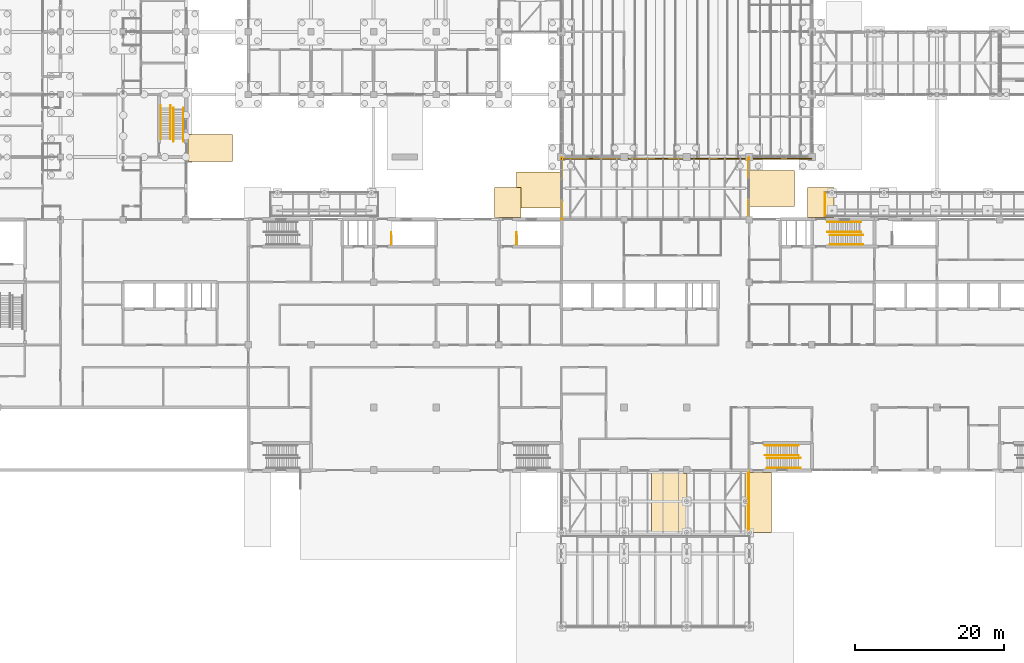
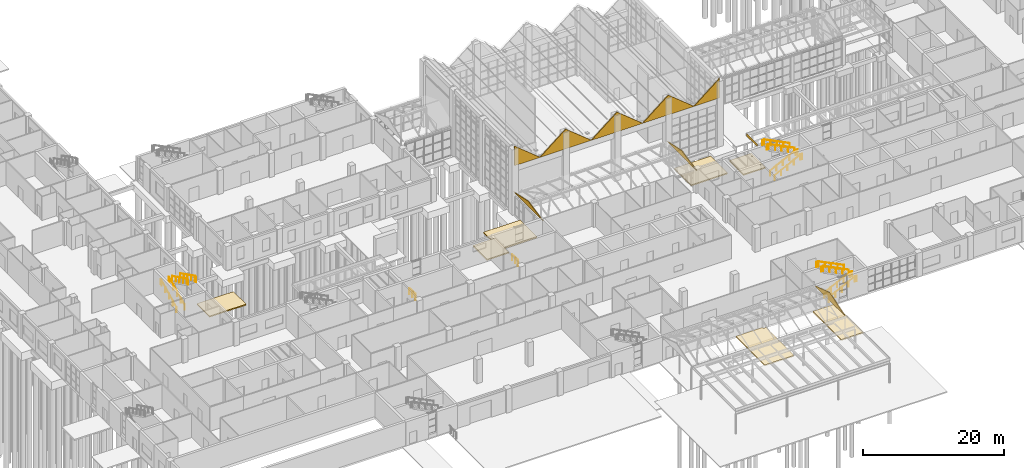
# One storey, part 133 of 138: 16 coverings, 14 railings.
"""IFC4 building model written with IfcOpenShell, lengths in metres."""

from ifc_helpers import new_model, si_unit, direction, frame, origin, origin_2d, place, context, subcontext, project, spatial, polyline, circle, outline, extrude, material, layer, layer_set, type_object, element, save


model = new_model("IFC4")

# Units and contexts
model_context = context("Model", 3, precision=1e-05, world=origin(), true_north=direction((0.0, 1.0)))
body_context = subcontext(model_context, "Body", "Model", "MODEL_VIEW")
ifc_project = project(units=[si_unit("LENGTHUNIT", "METRE"), si_unit("AREAUNIT", "SQUARE_METRE"), si_unit("VOLUMEUNIT", "CUBIC_METRE"), si_unit("PLANEANGLEUNIT", "RADIAN"), si_unit("MASSUNIT", "GRAM", prefix="KILO")], contexts=[model_context])

# Site, building, storey
site_placement = place(None, origin())
site = spatial("IfcSite", under=ifc_project, at=site_placement, CompositionType="ELEMENT")
building_placement = place(site_placement, origin())
building = spatial("IfcBuilding", under=site, at=building_placement, Name="Yavir Park General Hospital", CompositionType="ELEMENT")
storey_placement = place(building_placement, origin())
storey = spatial("IfcBuildingStorey", under=building, at=storey_placement, Name="L00", CompositionType="ELEMENT", Elevation=0.0)

# Coverings
ifc_material_1 = material(Name="Aluminium composite cladding", Category="aluminium")
ifc_layer_1 = layer(ifc_material_1, 0.0400390625)
ifc_layer_set_1 = layer_set([ifc_layer_1], Name="Aluminium composite cladding")
covering_type_1 = type_object("IfcCoveringType", Name="Canopy fascia 40", PredefinedType="CLADDING", material=ifc_layer_set_1)
covering_1_placement = place(storey_placement, frame((0.0, 0.0, 3.85009765625)))
element("IfcCovering", 1, at=covering_1_placement, inside=storey, type_object=covering_type_1, Name="Canopy fascia ARC2 W", PredefinedType="CLADDING", context=body_context, shape_type="SweptSolid", body=[
    extrude(outline(polyline([(110.9599609375, 34.10009765625), (111.0, 34.10009765625), (111.0, 37.199951171875), (110.9599609375, 37.199951171875), (110.9599609375, 34.10009765625)])), origin(), (0.0, 0.0, 1.0), 0.449951171875),
])
ifc_material_2 = material(Name="Precast paving flags on a compacted sub-base", Category="concrete")
ifc_layer_2 = layer(ifc_material_2, 0.199951171875)
ifc_layer_set_2 = layer_set([ifc_layer_2], Name="Precast paving flags on a compacted sub-base")
covering_type_2 = type_object("IfcCoveringType", Name="External paving 200", PredefinedType="FLOORING", material=ifc_layer_set_2)
covering_2_placement = place(storey_placement, frame((0.0, 0.0, -0.199951171875)))
element("IfcCovering", 2, at=covering_2_placement, inside=storey, type_object=covering_type_2, Name="Entrance paving east 1", PredefinedType="FLOORING", context=body_context, shape_type="SweptSolid", body=[
    extrude(outline(polyline([(25.5, 45.0), (31.5, 45.0), (31.5, 41.39990234375), (25.5, 41.39990234375), (25.5, 42.0), (25.5, 45.0)])), origin(), (0.0, 0.0, 1.0), 0.199951171875),
])
covering_3_placement = place(storey_placement, frame((0.0, 0.0, -0.199951171875)))
element("IfcCovering", 3, at=covering_3_placement, inside=storey, type_object=covering_type_2, Name="Entrance paving east 1", PredefinedType="FLOORING", context=body_context, shape_type="SweptSolid", body=[
    extrude(outline(polyline([(100.85009765625, 39.262451171875), (100.889892578125, 39.262451171875), (100.889892578125, 39.322509765625), (100.8701171875, 39.322509765625), (100.8701171875, 40.16259765625), (106.85009765625, 40.16259765625), (106.85009765625, 35.362548828125), (100.8701171875, 35.362548828125), (100.8701171875, 36.202392578125), (100.889892578125, 36.202392578125), (100.889892578125, 36.262451171875), (100.85009765625, 36.262451171875), (100.85009765625, 39.262451171875)])), origin(), (0.0, 0.0, 1.0), 0.199951171875),
])
covering_4_placement = place(storey_placement, frame((0.0, 0.0, -0.199951171875)))
element("IfcCovering", 4, at=covering_4_placement, inside=storey, type_object=covering_type_2, Name="Entrance paving north 3", PredefinedType="FLOORING", context=body_context, shape_type="SweptSolid", body=[
    extrude(outline(polyline([(67.199951171875, 33.89990234375), (66.60009765625, 33.89990234375), (66.60009765625, 37.89990234375), (70.199951171875, 37.89990234375), (70.199951171875, 33.89990234375), (67.199951171875, 33.89990234375)])), origin(), (0.0, 0.0, 1.0), 0.199951171875),
])
covering_5_placement = place(storey_placement, frame((0.0, 0.0, -0.199951171875)))
element("IfcCovering", 5, at=covering_5_placement, inside=storey, type_object=covering_type_2, Name="Entrance paving north 4", PredefinedType="FLOORING", context=body_context, shape_type="SweptSolid", body=[
    extrude(outline(polyline([(108.60009765625, 37.89990234375), (112.199951171875, 37.89990234375), (112.199951171875, 33.89990234375), (109.199951171875, 33.89990234375), (108.60009765625, 33.89990234375), (108.60009765625, 37.89990234375)]), holes=[polyline([(111.969970703125, 34.8466796875), (111.965087890625, 34.853515625), (111.95947265625, 34.859619140625), (111.953369140625, 34.864990234375), (111.94677734375, 34.8701171875), (111.939697265625, 34.874267578125), (111.93212890625, 34.877685546875), (111.92431640625, 34.880615234375), (111.91650390625, 34.882568359375), (111.908203125, 34.8837890625), (111.89990234375, 34.884033203125), (111.891845703125, 34.8837890625), (111.883544921875, 34.882568359375), (111.87548828125, 34.880615234375), (111.867919921875, 34.877685546875), (111.8603515625, 34.874267578125), (111.853271484375, 34.8701171875), (111.8466796875, 34.864990234375), (111.840576171875, 34.859619140625), (111.8349609375, 34.853515625), (111.830078125, 34.8466796875), (111.82568359375, 34.839599609375), (111.822265625, 34.832275390625), (111.819580078125, 34.824462890625), (111.8173828125, 34.81640625), (111.81640625, 34.80810546875), (111.81591796875, 34.800048828125), (111.81640625, 34.791748046875), (111.8173828125, 34.78369140625), (111.819580078125, 34.775634765625), (111.822265625, 34.767822265625), (111.82568359375, 34.76025390625), (111.830078125, 34.753173828125), (111.8349609375, 34.74658203125), (111.840576171875, 34.740478515625), (111.8466796875, 34.735107421875), (111.853271484375, 34.72998046875), (111.8603515625, 34.725830078125), (111.867919921875, 34.722412109375), (111.87548828125, 34.719482421875), (111.883544921875, 34.717529296875), (111.891845703125, 34.71630859375), (111.89990234375, 34.7158203125), (111.908203125, 34.71630859375), (111.91650390625, 34.717529296875), (111.92431640625, 34.719482421875), (111.93212890625, 34.722412109375), (111.939697265625, 34.725830078125), (111.94677734375, 34.72998046875), (111.953369140625, 34.735107421875), (111.95947265625, 34.740478515625), (111.965087890625, 34.74658203125), (111.969970703125, 34.753173828125), (111.97412109375, 34.76025390625), (111.977783203125, 34.767822265625), (111.98046875, 34.775634765625), (111.982421875, 34.78369140625), (111.983642578125, 34.791748046875), (111.984130859375, 34.800048828125), (111.983642578125, 34.80810546875), (111.982421875, 34.81640625), (111.98046875, 34.824462890625), (111.977783203125, 34.832275390625), (111.97412109375, 34.839599609375), (111.969970703125, 34.8466796875)]), polyline([(111.9580078125, 37.23876953125), (111.9541015625, 37.244384765625), (111.949462890625, 37.24951171875), (111.9443359375, 37.25390625), (111.938720703125, 37.258056640625), (111.932861328125, 37.26171875), (111.9267578125, 37.264404296875), (111.92041015625, 37.266845703125), (111.91357421875, 37.2685546875), (111.90673828125, 37.26953125), (111.89990234375, 37.27001953125), (111.893310546875, 37.26953125), (111.886474609375, 37.2685546875), (111.879638671875, 37.266845703125), (111.873291015625, 37.264404296875), (111.8671875, 37.26171875), (111.861083984375, 37.258056640625), (111.855712890625, 37.25390625), (111.8505859375, 37.24951171875), (111.845947265625, 37.244384765625), (111.841796875, 37.23876953125), (111.83837890625, 37.23291015625), (111.83544921875, 37.226806640625), (111.833251953125, 37.22021484375), (111.83154296875, 37.213623046875), (111.83056640625, 37.206787109375), (111.830078125, 37.199951171875), (111.83056640625, 37.193115234375), (111.83154296875, 37.186279296875), (111.833251953125, 37.1796875), (111.83544921875, 37.17333984375), (111.83837890625, 37.1669921875), (111.841796875, 37.1611328125), (111.845947265625, 37.15576171875), (111.8505859375, 37.150634765625), (111.855712890625, 37.14599609375), (111.861083984375, 37.141845703125), (111.8671875, 37.138427734375), (111.873291015625, 37.135498046875), (111.879638671875, 37.13330078125), (111.886474609375, 37.131591796875), (111.893310546875, 37.130615234375), (111.89990234375, 37.130126953125), (111.90673828125, 37.130615234375), (111.91357421875, 37.131591796875), (111.92041015625, 37.13330078125), (111.9267578125, 37.135498046875), (111.932861328125, 37.138427734375), (111.938720703125, 37.141845703125), (111.9443359375, 37.14599609375), (111.949462890625, 37.150634765625), (111.9541015625, 37.15576171875), (111.9580078125, 37.1611328125), (111.961669921875, 37.1669921875), (111.964599609375, 37.17333984375), (111.966796875, 37.1796875), (111.968505859375, 37.186279296875), (111.969482421875, 37.193115234375), (111.969970703125, 37.199951171875), (111.969482421875, 37.206787109375), (111.968505859375, 37.213623046875), (111.966796875, 37.22021484375), (111.964599609375, 37.226806640625), (111.961669921875, 37.23291015625), (111.9580078125, 37.23876953125)])]), origin(), (0.0, 0.0, 1.0), 0.199951171875),
])
covering_6_placement = place(storey_placement, frame((0.0, 0.0, -0.199951171875)))
element("IfcCovering", 6, at=covering_6_placement, inside=storey, type_object=covering_type_2, Name="Entrance paving south 3", PredefinedType="FLOORING", context=body_context, shape_type="SweptSolid", body=[
    extrude(outline(polyline([(100.791748046875, -8.31640625), (100.78369140625, -8.3173828125), (100.775634765625, -8.319580078125), (100.767822265625, -8.322265625), (100.76025390625, -8.32568359375), (100.753173828125, -8.330078125), (100.74658203125, -8.3349609375), (100.740478515625, -8.340576171875), (100.735107421875, -8.3466796875), (100.72998046875, -8.353271484375), (100.725830078125, -8.3603515625), (100.722412109375, -8.367919921875), (100.719482421875, -8.37548828125), (100.717529296875, -8.383544921875), (100.71630859375, -8.391845703125), (100.7158203125, -8.39990234375), (100.199951171875, -8.39990234375), (100.199951171875, -0.300048828125), (100.800048828125, -0.300048828125), (103.800048828125, -0.300048828125), (103.800048828125, -8.39990234375), (100.884033203125, -8.39990234375), (100.8837890625, -8.391845703125), (100.882568359375, -8.383544921875), (100.880615234375, -8.37548828125), (100.877685546875, -8.367919921875), (100.874267578125, -8.3603515625), (100.8701171875, -8.353271484375), (100.864990234375, -8.3466796875), (100.859619140625, -8.340576171875), (100.853515625, -8.3349609375), (100.8466796875, -8.330078125), (100.839599609375, -8.32568359375), (100.832275390625, -8.322265625), (100.824462890625, -8.319580078125), (100.81640625, -8.3173828125), (100.80810546875, -8.31640625), (100.800048828125, -8.31591796875), (100.791748046875, -8.31640625)]), holes=[polyline([(100.30810546875, -4.1162109375), (100.300048828125, -4.115966796875), (100.291748046875, -4.1162109375), (100.28369140625, -4.117431640625), (100.275634765625, -4.119384765625), (100.267822265625, -4.122314453125), (100.26025390625, -4.125732421875), (100.253173828125, -4.1298828125), (100.24658203125, -4.135009765625), (100.240478515625, -4.140380859375), (100.235107421875, -4.146484375), (100.22998046875, -4.1533203125), (100.225830078125, -4.160400390625), (100.222412109375, -4.167724609375), (100.219482421875, -4.175537109375), (100.217529296875, -4.18359375), (100.21630859375, -4.19189453125), (100.2158203125, -4.199951171875), (100.21630859375, -4.208251953125), (100.217529296875, -4.21630859375), (100.219482421875, -4.224365234375), (100.222412109375, -4.232177734375), (100.225830078125, -4.23974609375), (100.22998046875, -4.246826171875), (100.235107421875, -4.25341796875), (100.240478515625, -4.259521484375), (100.24658203125, -4.264892578125), (100.253173828125, -4.27001953125), (100.26025390625, -4.274169921875), (100.267822265625, -4.277587890625), (100.275634765625, -4.280517578125), (100.28369140625, -4.282470703125), (100.291748046875, -4.28369140625), (100.300048828125, -4.2841796875), (100.30810546875, -4.28369140625), (100.31640625, -4.282470703125), (100.324462890625, -4.280517578125), (100.332275390625, -4.277587890625), (100.339599609375, -4.274169921875), (100.3466796875, -4.27001953125), (100.353515625, -4.264892578125), (100.359619140625, -4.259521484375), (100.364990234375, -4.25341796875), (100.3701171875, -4.246826171875), (100.374267578125, -4.23974609375), (100.377685546875, -4.232177734375), (100.380615234375, -4.224365234375), (100.382568359375, -4.21630859375), (100.3837890625, -4.208251953125), (100.384033203125, -4.199951171875), (100.3837890625, -4.19189453125), (100.382568359375, -4.18359375), (100.380615234375, -4.175537109375), (100.377685546875, -4.167724609375), (100.374267578125, -4.160400390625), (100.3701171875, -4.1533203125), (100.364990234375, -4.146484375), (100.359619140625, -4.140380859375), (100.353515625, -4.135009765625), (100.3466796875, -4.1298828125), (100.339599609375, -4.125732421875), (100.332275390625, -4.122314453125), (100.324462890625, -4.119384765625), (100.31640625, -4.117431640625), (100.30810546875, -4.1162109375)])]), origin(), (0.0, 0.0, 1.0), 0.199951171875),
])
covering_7_placement = place(storey_placement, frame((0.0, 0.0, -0.199951171875)))
element("IfcCovering", 7, at=covering_7_placement, inside=storey, type_object=covering_type_2, Name="Entrance paving south 2", PredefinedType="FLOORING", context=body_context, shape_type="SweptSolid", body=[
    extrude(outline(polyline([(92.340576171875, -4.140380859375), (92.3349609375, -4.146484375), (92.330078125, -4.1533203125), (92.32568359375, -4.160400390625), (92.322265625, -4.167724609375), (92.319580078125, -4.175537109375), (92.3173828125, -4.18359375), (92.31640625, -4.19189453125), (92.31591796875, -4.199951171875), (92.31640625, -4.208251953125), (92.3173828125, -4.21630859375), (92.319580078125, -4.224365234375), (92.322265625, -4.232177734375), (92.32568359375, -4.23974609375), (92.330078125, -4.246826171875), (92.3349609375, -4.25341796875), (92.340576171875, -4.259521484375), (92.3466796875, -4.264892578125), (92.353271484375, -4.27001953125), (92.3603515625, -4.274169921875), (92.367919921875, -4.277587890625), (92.37548828125, -4.280517578125), (92.383544921875, -4.282470703125), (92.391845703125, -4.28369140625), (92.39990234375, -4.2841796875), (92.408203125, -4.28369140625), (92.41650390625, -4.282470703125), (92.42431640625, -4.280517578125), (92.43212890625, -4.277587890625), (92.439697265625, -4.274169921875), (92.44677734375, -4.27001953125), (92.453369140625, -4.264892578125), (92.45947265625, -4.259521484375), (92.465087890625, -4.25341796875), (92.469970703125, -4.246826171875), (92.47412109375, -4.23974609375), (92.47509765625, -4.238037109375), (92.47509765625, -8.362060546875), (92.47412109375, -8.3603515625), (92.469970703125, -8.353271484375), (92.465087890625, -8.3466796875), (92.45947265625, -8.340576171875), (92.453369140625, -8.3349609375), (92.44677734375, -8.330078125), (92.439697265625, -8.32568359375), (92.43212890625, -8.322265625), (92.42431640625, -8.319580078125), (92.41650390625, -8.3173828125), (92.408203125, -8.31640625), (92.39990234375, -8.31591796875), (92.391845703125, -8.31640625), (92.383544921875, -8.3173828125), (92.37548828125, -8.319580078125), (92.367919921875, -8.322265625), (92.3603515625, -8.32568359375), (92.353271484375, -8.330078125), (92.3466796875, -8.3349609375), (92.340576171875, -8.340576171875), (92.3349609375, -8.3466796875), (92.330078125, -8.353271484375), (92.32568359375, -8.3603515625), (92.322265625, -8.367919921875), (92.319580078125, -8.37548828125), (92.3173828125, -8.383544921875), (92.31640625, -8.391845703125), (92.31591796875, -8.39990234375), (87.675048828125, -8.39990234375), (87.675048828125, -0.199951171875), (91.949951171875, -0.199951171875), (91.949951171875, -0.449951171875), (92.47509765625, -0.449951171875), (92.47509765625, -4.162109375), (92.47412109375, -4.160400390625), (92.469970703125, -4.1533203125), (92.465087890625, -4.146484375), (92.45947265625, -4.140380859375), (92.453369140625, -4.135009765625), (92.44677734375, -4.1298828125), (92.439697265625, -4.125732421875), (92.43212890625, -4.122314453125), (92.42431640625, -4.119384765625), (92.41650390625, -4.117431640625), (92.408203125, -4.1162109375), (92.39990234375, -4.115966796875), (92.391845703125, -4.1162109375), (92.383544921875, -4.117431640625), (92.37548828125, -4.119384765625), (92.367919921875, -4.122314453125), (92.3603515625, -4.125732421875), (92.353271484375, -4.1298828125), (92.3466796875, -4.135009765625), (92.340576171875, -4.140380859375)])), origin(), (0.0, 0.0, 1.0), 0.199951171875),
])
covering_8_placement = place(storey_placement, frame((0.0, 0.0, -0.199951171875)))
element("IfcCovering", 8, at=covering_8_placement, inside=storey, type_object=covering_type_2, Name="Entrance paving west 1", PredefinedType="FLOORING", context=body_context, shape_type="SweptSolid", body=[
    extrude(outline(polyline([(70.199951171875, 37.89990234375), (69.550048828125, 37.89990234375), (69.550048828125, 39.987548828125), (75.530029296875, 39.987548828125), (75.530029296875, 39.1474609375), (75.510009765625, 39.1474609375), (75.510009765625, 39.08740234375), (75.550048828125, 39.08740234375), (75.550048828125, 36.08740234375), (75.510009765625, 36.08740234375), (75.510009765625, 36.027587890625), (75.530029296875, 36.027587890625), (75.530029296875, 35.1875), (70.199951171875, 35.1875), (70.199951171875, 37.89990234375)])), origin(), (0.0, 0.0, 1.0), 0.199951171875),
])
ifc_material_3 = material(Name="Glass-fibre reinforced concrete", Category="concrete")
ifc_layer_3 = layer(ifc_material_3, 0.14990234375)
ifc_layer_set_3 = layer_set([ifc_layer_3], Name="Glass-fibre reinforced concrete")
covering_type_3 = type_object("IfcCoveringType", Name="Gable end GFRC panel 150", PredefinedType="CLADDING", material=ifc_layer_set_3)
covering_9_placement = place(storey_placement, frame((75.60009765625, 41.699951171875, 8.31689453125), z_axis=(0.0, -1.0, 0.0), x_axis=(1.0, 0.0, 0.0)))
element("IfcCovering", 9, at=covering_9_placement, inside=storey, type_object=covering_type_3, Name="Gable end panel HALL-S-R01", PredefinedType="CLADDING", context=body_context, shape_type="SweptSolid", body=[
    extrude(outline(polyline([(0.0, 0.0), (4.199951171875, 0.0), (0.0, 3.400146484375), (0.0, 0.0)])), origin(), (0.0, 0.0, -1.0), 0.14990234375),
])
covering_10_placement = place(storey_placement, frame((79.800048828125, 41.699951171875, 8.31689453125), z_axis=(0.0, -1.0, 0.0), x_axis=(1.0, 0.0, 0.0)))
element("IfcCovering", 10, at=covering_10_placement, inside=storey, type_object=covering_type_3, Name="Gable end panel HALL-S-R02", PredefinedType="CLADDING", context=body_context, shape_type="SweptSolid", body=[
    extrude(outline(polyline([(0.0, 0.0), (8.39990234375, 0.0), (4.199951171875, 3.400146484375), (0.0, 0.0)])), origin(), (0.0, 0.0, -1.0), 0.14990234375),
])
covering_11_placement = place(storey_placement, frame((88.199951171875, 41.699951171875, 8.31689453125), z_axis=(0.0, -1.0, 0.0), x_axis=(1.0, 0.0, 0.0)))
element("IfcCovering", 11, at=covering_11_placement, inside=storey, type_object=covering_type_3, Name="Gable end panel HALL-S-R03", PredefinedType="CLADDING", context=body_context, shape_type="SweptSolid", body=[
    extrude(outline(polyline([(0.0, 0.0), (8.400146484375, 0.0), (4.199951171875, 3.400146484375), (0.0, 0.0)])), origin(), (0.0, 0.0, -1.0), 0.14990234375),
])
covering_12_placement = place(storey_placement, frame((96.60009765625, 41.699951171875, 8.31689453125), z_axis=(0.0, -1.0, 0.0), x_axis=(1.0, 0.0, 0.0)))
element("IfcCovering", 12, at=covering_12_placement, inside=storey, type_object=covering_type_3, Name="Gable end panel HALL-S-R04", PredefinedType="CLADDING", context=body_context, shape_type="SweptSolid", body=[
    extrude(outline(polyline([(0.0, 0.0), (8.39990234375, 0.0), (4.199951171875, 3.400146484375), (0.0, 0.0)])), origin(), (0.0, 0.0, -1.0), 0.14990234375),
])
covering_13_placement = place(storey_placement, frame((105.0, 41.699951171875, 8.31689453125), z_axis=(0.0, -1.0, 0.0), x_axis=(1.0, 0.0, 0.0)))
element("IfcCovering", 13, at=covering_13_placement, inside=storey, type_object=covering_type_3, Name="Gable end panel HALL-S-R05", PredefinedType="CLADDING", context=body_context, shape_type="SweptSolid", body=[
    extrude(outline(polyline([(0.0, 0.0), (4.199951171875, 0.0), (4.199951171875, 3.400146484375), (0.0, 0.0)])), origin(), (0.0, 0.0, -1.0), 0.14990234375),
])
ifc_material_4 = material(Name="Toughened safety glass", Category="glass")
ifc_layer_4 = layer(ifc_material_4, 0.1201171875)
ifc_layer_set_4 = layer_set([ifc_layer_4], Name="Toughened safety glass")
covering_type_4 = type_object("IfcCoveringType", Name="Gable end glass panel 120", PredefinedType="CLADDING", material=ifc_layer_set_4)
covering_14_placement = place(storey_placement, frame((75.60009765625, 33.60009765625, 3.64697265625), z_axis=(-1.0, 0.0, 0.0), x_axis=(0.0, 1.0, 0.0)))
element("IfcCovering", 14, at=covering_14_placement, inside=storey, type_object=covering_type_4, Name="Gable end panel FOYER-W-G01", PredefinedType="CLADDING", context=body_context, shape_type="SweptSolid", body=[
    extrude(outline(polyline([(0.0, 0.0), (8.39990234375, 0.0), (4.199951171875, -0.900146484375), (0.0, 0.0)])), origin(), (0.0, 0.0, -1.0), 0.1201171875),
])
covering_15_placement = place(storey_placement, frame((100.800048828125, 33.60009765625, 3.64697265625), z_axis=(1.0, 0.0, 0.0), x_axis=(0.0, 1.0, 0.0)))
element("IfcCovering", 15, at=covering_15_placement, inside=storey, type_object=covering_type_4, Name="Gable end panel FOYER-E-G01", PredefinedType="CLADDING", context=body_context, shape_type="SweptSolid", body=[
    extrude(outline(polyline([(0.0, 0.0), (8.39990234375, 0.0), (4.199951171875, 0.900146484375), (0.0, 0.0)])), origin(), (0.0, 0.0, -1.0), 0.1201171875),
])
covering_16_placement = place(storey_placement, frame((100.800048828125, -8.39990234375, 4.0419921875), z_axis=(1.0, 0.0, 0.0), x_axis=(0.0, 1.0, 0.0)))
element("IfcCovering", 16, at=covering_16_placement, inside=storey, type_object=covering_type_4, Name="Gable end panel PORCH-E-G01", PredefinedType="CLADDING", context=body_context, shape_type="SweptSolid", body=[
    extrude(outline(polyline([(0.0, 0.0), (8.39990234375, 0.0), (4.199951171875, 1.39990234375), (0.0, 0.0)])), origin(), (0.0, 0.0, -1.0), 0.1201171875),
])

# Railings
ifc_material_5 = material(Name="Steel balustrade with infill rods", Category="steel")
railing_type_1 = type_object("IfcRailingType", Name="Stair guard, steel balustrade 1100 mm", PredefinedType="GUARDRAIL", material=ifc_material_5)
for number, where, name in (
    (17, (52.77001953125, 30.22998046875, 0.0), "Stair well guard BS2 L00"),
    (18, (69.570068359375, 30.22998046875, 0.0), "Stair well guard BS3 L00"),
):
    element("IfcRailing", number, at=place(storey_placement, frame(where)), inside=storey, type_object=railing_type_1, Name=name, PredefinedType="GUARDRAIL", context=body_context, shape_type="SweptSolid", body=[
        extrude(circle(Radius=0.02392578125, at=origin_2d()), frame((0.0, 0.0, 1.076171875), z_axis=(0.0, 1.0, 0.0), x_axis=(-1.0, 0.0, 0.0)), (0.0, 0.0, 1.0), 1.669921875),
        extrude(circle(Radius=0.02099609375, at=origin_2d()), origin(), (0.0, 0.0, 1.0), 1.052001953125),
        extrude(circle(Radius=0.02099609375, at=origin_2d()), frame((0.0, 0.8349609375, 0.0)), (0.0, 0.0, 1.0), 1.052001953125),
        extrude(circle(Radius=0.02099609375, at=origin_2d()), frame((0.0, 1.669921875, 0.0)), (0.0, 0.0, 1.0), 1.052001953125),
    ])
ifc_material_6 = material(Name="Stainless steel tube 48 mm", Category="steel")
railing_type_2 = type_object("IfcRailingType", Name="Stair handrail, steel tube, 900 mm above the nosings", PredefinedType="HANDRAIL", material=ifc_material_6)
for number, where, name in (
    (19, (103.199951171875, 0.2900390625, 0.14990234375), "Handrail SU4 L00 1"),
    (20, (103.199951171875, 1.610107421875, 0.14990234375), "Handrail SU4 L00 2"),
):
    element("IfcRailing", number, at=place(storey_placement, frame(where)), inside=storey, type_object=railing_type_2, Name=name, PredefinedType="HANDRAIL", context=body_context, shape_type="SweptSolid", body=[
        extrude(circle(Radius=0.02392578125, at=origin_2d()), frame((0.0, 0.0, 0.8759765625), z_axis=(0.894416792377, 0.0, 0.447234392142), x_axis=(0.0, 1.0, 0.0)), (0.0, 0.0, 1.0), 4.69580078125),
        extrude(circle(Radius=0.02392578125, at=origin_2d()), frame((4.199951171875, 0.0, 2.97607421875), z_axis=(1.0, 0.0, 0.0), x_axis=(0.0, 1.0, 0.0)), (0.0, 0.0, 1.0), 0.300048828125),
        extrude(circle(Radius=0.02099609375, at=origin_2d()), origin(), (0.0, 0.0, 1.0), 0.851806640625),
        extrude(circle(Radius=0.02099609375, at=origin_2d()), frame((1.050048828125, 0.0, 0.52490234375)), (0.0, 0.0, 1.0), 0.851806640625),
        extrude(circle(Radius=0.02099609375, at=origin_2d()), frame((2.10009765625, 0.0, 1.050048828125)), (0.0, 0.0, 1.0), 0.851806640625),
        extrude(circle(Radius=0.02099609375, at=origin_2d()), frame((3.14990234375, 0.0, 1.5751953125)), (0.0, 0.0, 1.0), 0.851806640625),
        extrude(circle(Radius=0.02099609375, at=origin_2d()), frame((4.199951171875, 0.0, 2.10009765625)), (0.0, 0.0, 1.0), 0.851806640625),
        extrude(circle(Radius=0.02099609375, at=origin_2d()), frame((4.5, 0.0, 2.10009765625)), (0.0, 0.0, 1.0), 0.851806640625),
    ])
for number, where, name in (
    (21, (107.39990234375, 3.31005859375, 2.39990234375), "Handrail SU4 L00 3"),
    (22, (107.39990234375, 1.989990234375, 2.39990234375), "Handrail SU4 L00 4"),
):
    element("IfcRailing", number, at=place(storey_placement, frame(where)), inside=storey, type_object=railing_type_2, Name=name, PredefinedType="HANDRAIL", context=body_context, shape_type="SweptSolid", body=[
        extrude(circle(Radius=0.02392578125, at=origin_2d()), frame((0.0, 0.0, 0.8759765625), z_axis=(-0.894416792377, 0.0, 0.447234392142), x_axis=(0.0, -1.0, 0.0)), (0.0, 0.0, 1.0), 4.69580078125),
        extrude(circle(Radius=0.02392578125, at=origin_2d()), frame((-4.199951171875, 0.0, 2.97607421875), z_axis=(-1.0, 0.0, 0.0), x_axis=(0.0, -1.0, 0.0)), (0.0, 0.0, 1.0), 0.300048828125),
        extrude(circle(Radius=0.02099609375, at=origin_2d()), origin(), (0.0, 0.0, 1.0), 0.851806640625),
        extrude(circle(Radius=0.02099609375, at=origin_2d()), frame((-1.050048828125, 0.0, 0.52490234375)), (0.0, 0.0, 1.0), 0.851806640625),
        extrude(circle(Radius=0.02099609375, at=origin_2d()), frame((-2.10009765625, 0.0, 1.050048828125)), (0.0, 0.0, 1.0), 0.851806640625),
        extrude(circle(Radius=0.02099609375, at=origin_2d()), frame((-3.14990234375, 0.0, 1.5751953125)), (0.0, 0.0, 1.0), 0.851806640625),
        extrude(circle(Radius=0.02099609375, at=origin_2d()), frame((-4.199951171875, 0.0, 2.10009765625)), (0.0, 0.0, 1.0), 0.851806640625),
        extrude(circle(Radius=0.02099609375, at=origin_2d()), frame((-4.5, 0.0, 2.10009765625)), (0.0, 0.0, 1.0), 0.851806640625),
    ])
for number, where, name in (
    (23, (111.60009765625, 30.239990234375, 0.14990234375), "Handrail PN2 L00 1"),
    (24, (111.60009765625, 31.56005859375, 0.14990234375), "Handrail PN2 L00 2"),
):
    element("IfcRailing", number, at=place(storey_placement, frame(where)), inside=storey, type_object=railing_type_2, Name=name, PredefinedType="HANDRAIL", context=body_context, shape_type="SweptSolid", body=[
        extrude(circle(Radius=0.02392578125, at=origin_2d()), frame((0.0, 0.0, 0.8759765625), z_axis=(0.894416792377, 0.0, 0.447234392142), x_axis=(0.0, 1.0, 0.0)), (0.0, 0.0, 1.0), 4.69580078125),
        extrude(circle(Radius=0.02392578125, at=origin_2d()), frame((4.199951171875, 0.0, 2.97607421875), z_axis=(1.0, 0.0, 0.0), x_axis=(0.0, 1.0, 0.0)), (0.0, 0.0, 1.0), 0.300048828125),
        extrude(circle(Radius=0.02099609375, at=origin_2d()), origin(), (0.0, 0.0, 1.0), 0.851806640625),
        extrude(circle(Radius=0.02099609375, at=origin_2d()), frame((1.050048828125, 0.0, 0.52490234375)), (0.0, 0.0, 1.0), 0.851806640625),
        extrude(circle(Radius=0.02099609375, at=origin_2d()), frame((2.10009765625, 0.0, 1.050048828125)), (0.0, 0.0, 1.0), 0.851806640625),
        extrude(circle(Radius=0.02099609375, at=origin_2d()), frame((3.14990234375, 0.0, 1.5751953125)), (0.0, 0.0, 1.0), 0.851806640625),
        extrude(circle(Radius=0.02099609375, at=origin_2d()), frame((4.199951171875, 0.0, 2.10009765625)), (0.0, 0.0, 1.0), 0.851806640625),
        extrude(circle(Radius=0.02099609375, at=origin_2d()), frame((4.5, 0.0, 2.10009765625)), (0.0, 0.0, 1.0), 0.851806640625),
    ])
for number, where, name in (
    (25, (115.800048828125, 33.260009765625, 2.39990234375), "Handrail PN2 L00 3"),
    (26, (115.800048828125, 31.93994140625, 2.39990234375), "Handrail PN2 L00 4"),
):
    element("IfcRailing", number, at=place(storey_placement, frame(where)), inside=storey, type_object=railing_type_2, Name=name, PredefinedType="HANDRAIL", context=body_context, shape_type="SweptSolid", body=[
        extrude(circle(Radius=0.02392578125, at=origin_2d()), frame((0.0, 0.0, 0.8759765625), z_axis=(-0.894416792377, 0.0, 0.447234392142), x_axis=(0.0, -1.0, 0.0)), (0.0, 0.0, 1.0), 4.69580078125),
        extrude(circle(Radius=0.02392578125, at=origin_2d()), frame((-4.199951171875, 0.0, 2.97607421875), z_axis=(-1.0, 0.0, 0.0), x_axis=(0.0, -1.0, 0.0)), (0.0, 0.0, 1.0), 0.300048828125),
        extrude(circle(Radius=0.02099609375, at=origin_2d()), origin(), (0.0, 0.0, 1.0), 0.851806640625),
        extrude(circle(Radius=0.02099609375, at=origin_2d()), frame((-1.050048828125, 0.0, 0.52490234375)), (0.0, 0.0, 1.0), 0.851806640625),
        extrude(circle(Radius=0.02099609375, at=origin_2d()), frame((-2.10009765625, 0.0, 1.050048828125)), (0.0, 0.0, 1.0), 0.851806640625),
        extrude(circle(Radius=0.02099609375, at=origin_2d()), frame((-3.14990234375, 0.0, 1.5751953125)), (0.0, 0.0, 1.0), 0.851806640625),
        extrude(circle(Radius=0.02099609375, at=origin_2d()), frame((-4.199951171875, 0.0, 2.10009765625)), (0.0, 0.0, 1.0), 0.851806640625),
        extrude(circle(Radius=0.02099609375, at=origin_2d()), frame((-4.5, 0.0, 2.10009765625)), (0.0, 0.0, 1.0), 0.851806640625),
    ])
for number, where, name in (
    (27, (21.840087890625, 44.39990234375, 0.14990234375), "Handrail SW1 L00 1"),
    (28, (23.159912109375, 44.39990234375, 0.14990234375), "Handrail SW1 L00 2"),
):
    element("IfcRailing", number, at=place(storey_placement, frame(where)), inside=storey, type_object=railing_type_2, Name=name, PredefinedType="HANDRAIL", context=body_context, shape_type="SweptSolid", body=[
        extrude(circle(Radius=0.02392578125, at=origin_2d()), frame((0.0, 0.0, 0.8759765625), z_axis=(0.0, 0.894427191, 0.4472135955), x_axis=(-1.0, 0.0, 0.0)), (0.0, 0.0, 1.0), 4.696044921875),
        extrude(circle(Radius=0.02392578125, at=origin_2d()), frame((0.0, 4.2001953125, 2.97607421875), z_axis=(0.0, 1.0, 0.0), x_axis=(-1.0, 0.0, 0.0)), (0.0, 0.0, 1.0), 0.2998046875),
        extrude(circle(Radius=0.02099609375, at=origin_2d()), origin(), (0.0, 0.0, 1.0), 0.851806640625),
        extrude(circle(Radius=0.02099609375, at=origin_2d()), frame((0.0, 1.050048828125, 0.52490234375)), (0.0, 0.0, 1.0), 0.851806640625),
        extrude(circle(Radius=0.02099609375, at=origin_2d()), frame((0.0, 2.10009765625, 1.050048828125)), (0.0, 0.0, 1.0), 0.851806640625),
        extrude(circle(Radius=0.02099609375, at=origin_2d()), frame((0.0, 3.150146484375, 1.5751953125)), (0.0, 0.0, 1.0), 0.851806640625),
        extrude(circle(Radius=0.02099609375, at=origin_2d()), frame((0.0, 4.2001953125, 2.10009765625)), (0.0, 0.0, 1.0), 0.851806640625),
        extrude(circle(Radius=0.02099609375, at=origin_2d()), frame((0.0, 4.5, 2.10009765625)), (0.0, 0.0, 1.0), 0.851806640625),
    ])
for number, where, name in (
    (29, (24.860107421875, 48.60009765625, 2.39990234375), "Handrail SW1 L00 3"),
    (30, (23.5400390625, 48.60009765625, 2.39990234375), "Handrail SW1 L00 4"),
):
    element("IfcRailing", number, at=place(storey_placement, frame(where)), inside=storey, type_object=railing_type_2, Name=name, PredefinedType="HANDRAIL", context=body_context, shape_type="SweptSolid", body=[
        extrude(circle(Radius=0.02392578125, at=origin_2d()), frame((0.0, 0.0, 0.8759765625), z_axis=(0.0, -0.894427191, 0.4472135955), x_axis=(1.0, 0.0, 0.0)), (0.0, 0.0, 1.0), 4.696044921875),
        extrude(circle(Radius=0.02392578125, at=origin_2d()), frame((0.0, -4.2001953125, 2.97607421875), z_axis=(0.0, -1.0, 0.0), x_axis=(1.0, 0.0, 0.0)), (0.0, 0.0, 1.0), 0.2998046875),
        extrude(circle(Radius=0.02099609375, at=origin_2d()), origin(), (0.0, 0.0, 1.0), 0.851806640625),
        extrude(circle(Radius=0.02099609375, at=origin_2d()), frame((0.0, -1.050048828125, 0.52490234375)), (0.0, 0.0, 1.0), 0.851806640625),
        extrude(circle(Radius=0.02099609375, at=origin_2d()), frame((0.0, -2.10009765625, 1.050048828125)), (0.0, 0.0, 1.0), 0.851806640625),
        extrude(circle(Radius=0.02099609375, at=origin_2d()), frame((0.0, -3.150146484375, 1.5751953125)), (0.0, 0.0, 1.0), 0.851806640625),
        extrude(circle(Radius=0.02099609375, at=origin_2d()), frame((0.0, -4.2001953125, 2.10009765625)), (0.0, 0.0, 1.0), 0.851806640625),
        extrude(circle(Radius=0.02099609375, at=origin_2d()), frame((0.0, -4.5, 2.10009765625)), (0.0, 0.0, 1.0), 0.851806640625),
    ])

save(model, "model.ifc")
